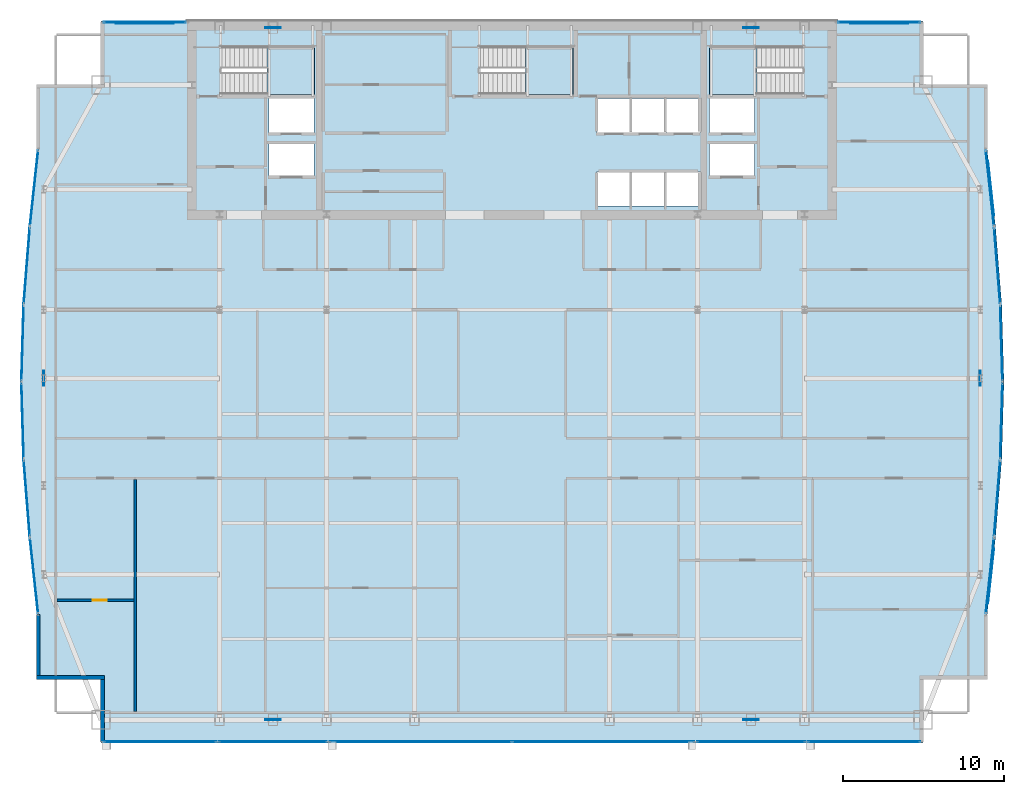
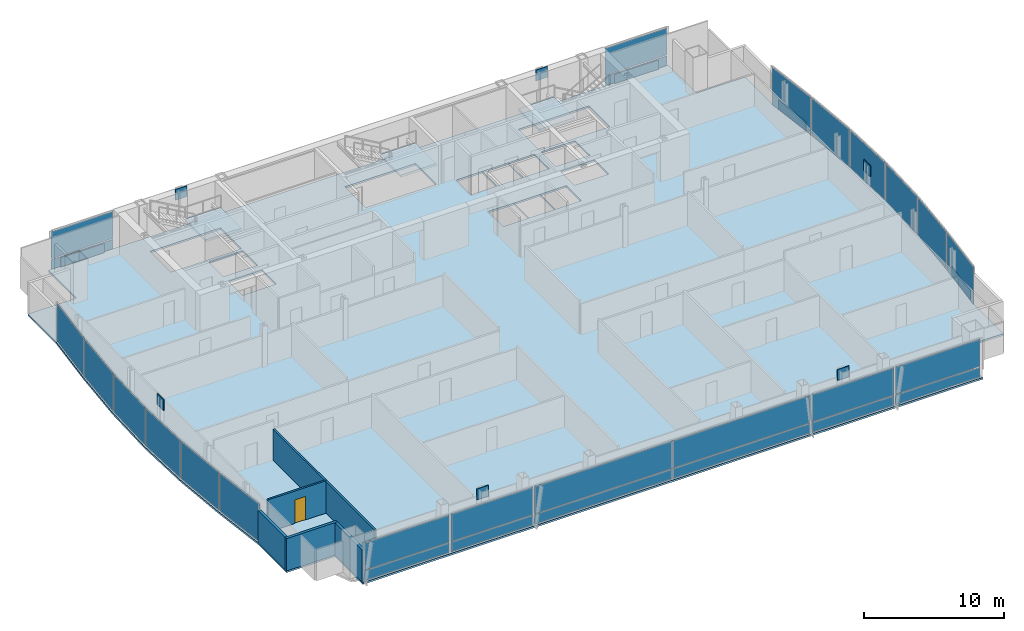
# One storey, part 26 of 32: 38 plates, 5 walls, 4 slabs, 1 door, 1 opening, 22 elements without a shape of their own.
"""IFC4 building model written with IfcOpenShell, lengths in metres."""

from ifc_helpers import new_model, si_unit, direction, frame, frame_2d, origin, origin_2d, place, context, subcontext, project, spatial, polyline, rectangle, outline, extrude, material, layer, layer_set, type_object, element, fill, aggregate, save


model = new_model("IFC4")

# Units and contexts
model_context = context("Model", 3, precision=1e-05, world=origin(), true_north=direction((0.0, 1.0)))
body_context = subcontext(model_context, "Body", "Model", "MODEL_VIEW")
ifc_project = project(units=[si_unit("LENGTHUNIT", "METRE"), si_unit("AREAUNIT", "SQUARE_METRE"), si_unit("VOLUMEUNIT", "CUBIC_METRE"), si_unit("PLANEANGLEUNIT", "RADIAN"), si_unit("MASSUNIT", "GRAM", prefix="KILO")], contexts=[model_context])

# Site, building, storey
site_placement = place(None, origin())
site = spatial("IfcSite", under=ifc_project, at=site_placement, CompositionType="ELEMENT")
building_placement = place(site_placement, origin())
building = spatial("IfcBuilding", under=site, at=building_placement, Name="Khoronbel Lancet Exchange", CompositionType="ELEMENT")
storey_placement = place(building_placement, frame((0.0, 0.0, 195.800048828125)))
storey = spatial("IfcBuildingStorey", under=building, at=storey_placement, Name="L49", CompositionType="ELEMENT", Elevation=195.800048828125)

# Curtain wall, plate
ifc_material_1 = material(Name="Low-E Solar Control Insulating Glass", Category="glass")
curtain_wall_type_1 = type_object("IfcCurtainWallType", Name="CW-4", PredefinedType="NOTDEFINED", material=ifc_material_1)
curtain_wall_1_placement = place(storey_placement, origin())
curtain_wall_1 = element("IfcCurtainWall", 1, at=curtain_wall_1_placement, inside=storey, type_object=curtain_wall_type_1, Name="Unitised curtain wall CW-L49-E05", PredefinedType="NOTDEFINED")
ifc_material_2 = material(Name="Bronze-Anodised Aluminium 6063-T6", Category="aluminium")
ifc_layer_1 = layer(ifc_material_2, 0.050048828125, Name="Bronze-Anodised Aluminium 6063-T6")
ifc_layer_set_1 = layer_set([ifc_layer_1], Name="Bronze-Anodised Aluminium 6063-T6")
plate_type_1 = type_object("IfcPlateType", Name="PLT-CSP1", PredefinedType="SHEET", material=ifc_layer_set_1)
plate_1_placement = place(storey_placement, frame((6.22265625, 23.95654296875, 0.0849609375), z_axis=(0.0, 0.0, 1.0), x_axis=(-0.079254661653, 0.996854401909, 0.0)))
plate_1 = element("IfcPlate", 2, at=plate_1_placement, type_object=plate_type_1, Name="CW4 panel 1.1", PredefinedType="CURTAIN_PANEL", context=body_context, shape_type="SweptSolid", body=[
    extrude(rectangle(XDim=4.695068359375, YDim=0.0380859375, at=origin_2d()), origin(), (0.0, 0.0, 1.0), 3.27001953125),
])
aggregate(curtain_wall_1, [plate_1])

curtain_wall_2_placement = place(storey_placement, origin())
curtain_wall_2 = element("IfcCurtainWall", 3, at=curtain_wall_2_placement, inside=storey, type_object=curtain_wall_type_1, Name="Unitised curtain wall CW-L49-E06", PredefinedType="NOTDEFINED")
plate_2_placement = place(storey_placement, frame((5.960205078125, 28.785888671875, 0.0849609375), z_axis=(0.0, 0.0, 1.0), x_axis=(-0.029107039142, 0.999576300376, 0.0)))
plate_2 = element("IfcPlate", 4, at=plate_2_placement, type_object=plate_type_1, Name="CW4 panel 1.1", PredefinedType="CURTAIN_PANEL", context=body_context, shape_type="SweptSolid", body=[
    extrude(rectangle(XDim=4.680419921875, YDim=0.0380859375, at=origin_2d()), origin(), (0.0, 0.0, 1.0), 3.27001953125),
])
aggregate(curtain_wall_2, [plate_2])

curtain_wall_3_placement = place(storey_placement, origin())
curtain_wall_3 = element("IfcCurtainWall", 5, at=curtain_wall_3_placement, inside=storey, type_object=curtain_wall_type_1, Name="Unitised curtain wall CW-L49-E07", PredefinedType="NOTDEFINED")
plate_3_placement = place(storey_placement, frame((5.960205078125, 33.6142578125, 0.0849609375), z_axis=(0.0, 0.0, 1.0), x_axis=(0.029107039142, 0.999576300376, 0.0)))
plate_3 = element("IfcPlate", 6, at=plate_3_placement, type_object=plate_type_1, Name="CW4 panel 1.1", PredefinedType="CURTAIN_PANEL", context=body_context, shape_type="SweptSolid", body=[
    extrude(rectangle(XDim=4.680419921875, YDim=0.0380859375, at=origin_2d()), origin(), (0.0, 0.0, 1.0), 3.27001953125),
])
aggregate(curtain_wall_3, [plate_3])

curtain_wall_4_placement = place(storey_placement, origin())
curtain_wall_4 = element("IfcCurtainWall", 7, at=curtain_wall_4_placement, inside=storey, type_object=curtain_wall_type_1, Name="Unitised curtain wall CW-L49-E08", PredefinedType="NOTDEFINED")
plate_4_placement = place(storey_placement, frame((6.22265625, 38.443359375, 0.0849609375), z_axis=(0.0, 0.0, 1.0), x_axis=(0.079254661653, 0.996854401909, 0.0)))
plate_4 = element("IfcPlate", 8, at=plate_4_placement, type_object=plate_type_1, Name="CW4 panel 1.1", PredefinedType="CURTAIN_PANEL", context=body_context, shape_type="SweptSolid", body=[
    extrude(rectangle(XDim=4.695068359375, YDim=0.0380859375, at=origin_2d()), origin(), (0.0, 0.0, 1.0), 3.27001953125),
])
aggregate(curtain_wall_4, [plate_4])

curtain_wall_type_2 = type_object("IfcCurtainWallType", Name="CW-3", PredefinedType="NOTDEFINED", material=ifc_material_1)
curtain_wall_5_placement = place(storey_placement, origin())
curtain_wall_5 = element("IfcCurtainWall", 9, at=curtain_wall_5_placement, inside=storey, type_object=curtain_wall_type_2, Name="Unitised curtain wall CW-L49-NWFLK", PredefinedType="NOTDEFINED")
plate_5_placement = place(storey_placement, frame((13.580078125, 53.550048828125, 0.0498046875), z_axis=(0.0, 0.0, 1.0), x_axis=(-1.0, 0.0, 0.0)))
plate_5 = element("IfcPlate", 10, at=plate_5_placement, type_object=plate_type_1, Name="Insulated bronze spandrel cassette CW-L49-NWFLK", PredefinedType="SHEET", context=body_context, shape_type="SweptSolid", body=[
    extrude(rectangle(XDim=3.60009765625, YDim=0.050048828125, at=origin_2d()), origin(), (0.0, 0.0, 1.0), 0.800048828125),
])

curtain_wall_6_placement = place(storey_placement, origin())
curtain_wall_6 = element("IfcCurtainWall", 11, at=curtain_wall_6_placement, inside=storey, type_object=curtain_wall_type_2, Name="Unitised curtain wall CW-L49-NEFLK", PredefinedType="NOTDEFINED")
plate_6_placement = place(storey_placement, frame((59.320068359375, 53.550048828125, 0.0498046875), z_axis=(0.0, 0.0, 1.0), x_axis=(-1.0, 0.0, 0.0)))
plate_6 = element("IfcPlate", 12, at=plate_6_placement, type_object=plate_type_1, Name="Insulated bronze spandrel cassette CW-L49-NEFLK", PredefinedType="SHEET", context=body_context, shape_type="SweptSolid", body=[
    extrude(rectangle(XDim=3.60009765625, YDim=0.050048828125, at=origin_2d()), origin(), (0.0, 0.0, 1.0), 0.800048828125),
])

curtain_wall_7_placement = place(storey_placement, origin())
curtain_wall_7 = element("IfcCurtainWall", 13, at=curtain_wall_7_placement, inside=storey, type_object=curtain_wall_type_1, Name="Unitised curtain wall CW-L49-E17", PredefinedType="NOTDEFINED")
plate_7_placement = place(storey_placement, frame((66.2822265625, 43.283203125, 0.0498046875), z_axis=(0.0, 0.0, 1.0), x_axis=(0.107990289834, -0.994151948799, 0.0)))
plate_7 = element("IfcPlate", 14, at=plate_7_placement, type_object=plate_type_1, Name="Insulated bronze spandrel cassette CW-L49-E17", PredefinedType="SHEET", context=body_context, shape_type="SweptSolid", body=[
    extrude(rectangle(XDim=3.40576171875, YDim=0.050048828125, at=origin_2d()), origin(), (0.0, 0.0, 1.0), 0.800048828125),
])

curtain_wall_8_placement = place(storey_placement, origin())
curtain_wall_8 = element("IfcCurtainWall", 15, at=curtain_wall_8_placement, inside=storey, type_object=curtain_wall_type_1, Name="Unitised curtain wall CW-L49-E18", PredefinedType="NOTDEFINED")
plate_8_placement = place(storey_placement, frame((66.677490234375, 38.443359375, 0.0849609375), z_axis=(0.0, 0.0, 1.0), x_axis=(0.079254661653, -0.996854401909, 0.0)))
plate_8 = element("IfcPlate", 16, at=plate_8_placement, type_object=plate_type_1, Name="CW4 panel 1.1", PredefinedType="CURTAIN_PANEL", context=body_context, shape_type="SweptSolid", body=[
    extrude(rectangle(XDim=4.695068359375, YDim=0.0380859375, at=origin_2d()), origin(), (0.0, 0.0, 1.0), 3.27001953125),
])
aggregate(curtain_wall_8, [plate_8])

curtain_wall_9_placement = place(storey_placement, origin())
curtain_wall_9 = element("IfcCurtainWall", 17, at=curtain_wall_9_placement, inside=storey, type_object=curtain_wall_type_1, Name="Unitised curtain wall CW-L49-E19", PredefinedType="NOTDEFINED")
plate_9_placement = place(storey_placement, frame((66.939697265625, 33.6142578125, 0.0849609375), z_axis=(0.0, 0.0, 1.0), x_axis=(0.029107039142, -0.999576300376, 0.0)))
plate_9 = element("IfcPlate", 18, at=plate_9_placement, type_object=plate_type_1, Name="CW4 panel 1.1", PredefinedType="CURTAIN_PANEL", context=body_context, shape_type="SweptSolid", body=[
    extrude(rectangle(XDim=4.680419921875, YDim=0.0380859375, at=origin_2d()), origin(), (0.0, 0.0, 1.0), 3.27001953125),
])
aggregate(curtain_wall_9, [plate_9])

curtain_wall_10_placement = place(storey_placement, origin())
curtain_wall_10 = element("IfcCurtainWall", 19, at=curtain_wall_10_placement, inside=storey, type_object=curtain_wall_type_1, Name="Unitised curtain wall CW-L49-E20", PredefinedType="NOTDEFINED")
plate_10_placement = place(storey_placement, frame((66.939697265625, 28.785888671875, 0.0849609375), z_axis=(0.0, 0.0, 1.0), x_axis=(-0.029107039142, -0.999576300376, 0.0)))
plate_10 = element("IfcPlate", 20, at=plate_10_placement, type_object=plate_type_1, Name="CW4 panel 1.1", PredefinedType="CURTAIN_PANEL", context=body_context, shape_type="SweptSolid", body=[
    extrude(rectangle(XDim=4.680419921875, YDim=0.0380859375, at=origin_2d()), origin(), (0.0, 0.0, 1.0), 3.27001953125),
])
aggregate(curtain_wall_10, [plate_10])

curtain_wall_11_placement = place(storey_placement, origin())
curtain_wall_11 = element("IfcCurtainWall", 21, at=curtain_wall_11_placement, inside=storey, type_object=curtain_wall_type_1, Name="Unitised curtain wall CW-L49-E21", PredefinedType="NOTDEFINED")
plate_11_placement = place(storey_placement, frame((66.677490234375, 23.95654296875, 0.0849609375), z_axis=(0.0, 0.0, 1.0), x_axis=(-0.079254661653, -0.996854401909, 0.0)))
plate_11 = element("IfcPlate", 22, at=plate_11_placement, type_object=plate_type_1, Name="CW4 panel 1.1", PredefinedType="CURTAIN_PANEL", context=body_context, shape_type="SweptSolid", body=[
    extrude(rectangle(XDim=4.695068359375, YDim=0.0380859375, at=origin_2d()), origin(), (0.0, 0.0, 1.0), 3.27001953125),
])
aggregate(curtain_wall_11, [plate_11])

curtain_wall_12_placement = place(storey_placement, origin())
curtain_wall_12 = element("IfcCurtainWall", 23, at=curtain_wall_12_placement, inside=storey, type_object=curtain_wall_type_1, Name="Unitised curtain wall CW-L49-E22", PredefinedType="NOTDEFINED")
plate_12_placement = place(storey_placement, frame((66.2822265625, 19.11669921875, 0.0498046875), z_axis=(0.0, 0.0, 1.0), x_axis=(-0.107990289834, -0.994151948799, 0.0)))
plate_12 = element("IfcPlate", 24, at=plate_12_placement, type_object=plate_type_1, Name="Insulated bronze spandrel cassette CW-L49-E22", PredefinedType="SHEET", context=body_context, shape_type="SweptSolid", body=[
    extrude(rectangle(XDim=3.40576171875, YDim=0.050048828125, at=origin_2d()), origin(), (0.0, 0.0, 1.0), 0.800048828125),
])

# Curtain wall, plates
curtain_wall_13_placement = place(storey_placement, origin())
curtain_wall_13 = element("IfcCurtainWall", 25, at=curtain_wall_13_placement, inside=storey, type_object=curtain_wall_type_2, Name="Unitised curtain wall CW-L49-SWB", PredefinedType="NOTDEFINED")
plate_13_placement = place(storey_placement, frame((21.550048828125, 8.7900390625, 0.0849609375), z_axis=(0.0, 0.0, 1.0), x_axis=(1.0, 0.0, 0.0)))
plate_13 = element("IfcPlate", 26, at=plate_13_placement, type_object=plate_type_1, Name="CW3 panel 1.1", PredefinedType="CURTAIN_PANEL", context=body_context, shape_type="SweptSolid", body=[
    extrude(rectangle(XDim=6.72998046875, YDim=0.0380859375, at=origin_2d()), origin(), (0.0, 0.0, 1.0), 0.822509765625),
])
plate_14_placement = place(storey_placement, frame((21.550048828125, 8.7900390625, 0.9921875), z_axis=(0.0, 0.0, 1.0), x_axis=(1.0, 0.0, 0.0)))
plate_14 = element("IfcPlate", 27, at=plate_14_placement, type_object=plate_type_1, Name="CW3 panel 1.2", PredefinedType="CURTAIN_PANEL", context=body_context, shape_type="SweptSolid", body=[
    extrude(rectangle(XDim=6.72998046875, YDim=0.0380859375, at=origin_2d()), origin(), (0.0, 0.0, 1.0), 2.362548828125),
])
aggregate(curtain_wall_13, [plate_13, plate_14])

curtain_wall_14_placement = place(storey_placement, origin())
curtain_wall_14 = element("IfcCurtainWall", 28, at=curtain_wall_14_placement, inside=storey, type_object=curtain_wall_type_2, Name="Unitised curtain wall CW-L49-SEB", PredefinedType="NOTDEFINED")
plate_15_placement = place(storey_placement, frame((51.35009765625, 8.7900390625, 0.0849609375), z_axis=(0.0, 0.0, 1.0), x_axis=(1.0, 0.0, 0.0)))
plate_15 = element("IfcPlate", 29, at=plate_15_placement, type_object=plate_type_1, Name="CW3 panel 1.1", PredefinedType="CURTAIN_PANEL", context=body_context, shape_type="SweptSolid", body=[
    extrude(rectangle(XDim=6.72998046875, YDim=0.0380859375, at=origin_2d()), origin(), (0.0, 0.0, 1.0), 0.822509765625),
])
plate_16_placement = place(storey_placement, frame((51.35009765625, 8.7900390625, 0.9921875), z_axis=(0.0, 0.0, 1.0), x_axis=(1.0, 0.0, 0.0)))
plate_16 = element("IfcPlate", 30, at=plate_16_placement, type_object=plate_type_1, Name="CW3 panel 1.2", PredefinedType="CURTAIN_PANEL", context=body_context, shape_type="SweptSolid", body=[
    extrude(rectangle(XDim=6.72998046875, YDim=0.0380859375, at=origin_2d()), origin(), (0.0, 0.0, 1.0), 2.362548828125),
])
aggregate(curtain_wall_14, [plate_15, plate_16])

# Plate
ifc_layer_2 = layer(ifc_material_1, 0.035888671875, Name="Low-E Solar Control Insulating Glass")
ifc_layer_set_2 = layer_set([ifc_layer_2], Name="Low-E Solar Control Insulating Glass")
plate_type_2 = type_object("IfcPlateType", Name="PLT-CWP1", PredefinedType="CURTAIN_PANEL", material=ifc_layer_set_2)
plate_17_placement = place(storey_placement, frame((13.580078125, 53.610107421875, 0.0849609375), z_axis=(0.0, 0.0, 1.0), x_axis=(-1.0, 0.0, 0.0)))
plate_17 = element("IfcPlate", 31, at=plate_17_placement, type_object=plate_type_2, Name="CW3 panel 1.1", PredefinedType="CURTAIN_PANEL", context=body_context, shape_type="SweptSolid", body=[
    extrude(rectangle(XDim=5.110107421875, YDim=0.0380859375, at=origin_2d()), origin(), (0.0, 0.0, 1.0), 0.822509765625),
])

plate_18_placement = place(storey_placement, frame((13.580078125, 53.610107421875, 0.9921875), z_axis=(0.0, 0.0, 1.0), x_axis=(-1.0, 0.0, 0.0)))
plate_18 = element("IfcPlate", 32, at=plate_18_placement, type_object=plate_type_2, Name="CW3 panel 1.2", PredefinedType="CURTAIN_PANEL", context=body_context, shape_type="SweptSolid", body=[
    extrude(rectangle(XDim=5.110107421875, YDim=0.0380859375, at=origin_2d()), origin(), (0.0, 0.0, 1.0), 2.362548828125),
])

aggregate(curtain_wall_5, [plate_17, plate_18, plate_5])

plate_19_placement = place(storey_placement, frame((59.320068359375, 53.610107421875, 0.0849609375), z_axis=(0.0, 0.0, 1.0), x_axis=(-1.0, 0.0, 0.0)))
plate_19 = element("IfcPlate", 33, at=plate_19_placement, type_object=plate_type_2, Name="CW3 panel 1.1", PredefinedType="CURTAIN_PANEL", context=body_context, shape_type="SweptSolid", body=[
    extrude(rectangle(XDim=5.110107421875, YDim=0.0380859375, at=origin_2d()), origin(), (0.0, 0.0, 1.0), 0.822509765625),
])

plate_20_placement = place(storey_placement, frame((59.320068359375, 53.610107421875, 0.9921875), z_axis=(0.0, 0.0, 1.0), x_axis=(-1.0, 0.0, 0.0)))
plate_20 = element("IfcPlate", 34, at=plate_20_placement, type_object=plate_type_2, Name="CW3 panel 1.2", PredefinedType="CURTAIN_PANEL", context=body_context, shape_type="SweptSolid", body=[
    extrude(rectangle(XDim=5.110107421875, YDim=0.0380859375, at=origin_2d()), origin(), (0.0, 0.0, 1.0), 2.362548828125),
])

aggregate(curtain_wall_6, [plate_19, plate_20, plate_6])

# Curtain wall, plates
curtain_wall_15_placement = place(storey_placement, origin())
curtain_wall_15 = element("IfcCurtainWall", 35, at=curtain_wall_15_placement, inside=storey, type_object=curtain_wall_type_2, Name="Unitised curtain wall CW-L49-SWV", PredefinedType="NOTDEFINED")
plate_21_placement = place(storey_placement, frame((14.52001953125, 8.7900390625, 0.0849609375), z_axis=(0.0, 0.0, 1.0), x_axis=(1.0, 0.0, 0.0)))
plate_21 = element("IfcPlate", 36, at=plate_21_placement, type_object=plate_type_2, Name="CW3 panel 1.1", PredefinedType="CURTAIN_PANEL", context=body_context, shape_type="SweptSolid", body=[
    extrude(rectangle(XDim=6.989990234375, YDim=0.0380859375, at=origin_2d()), origin(), (0.0, 0.0, 1.0), 0.822509765625),
])
plate_22_placement = place(storey_placement, frame((14.52001953125, 8.7900390625, 0.9921875), z_axis=(0.0, 0.0, 1.0), x_axis=(1.0, 0.0, 0.0)))
plate_22 = element("IfcPlate", 37, at=plate_22_placement, type_object=plate_type_2, Name="CW3 panel 1.2", PredefinedType="CURTAIN_PANEL", context=body_context, shape_type="SweptSolid", body=[
    extrude(rectangle(XDim=6.989990234375, YDim=0.0380859375, at=origin_2d()), origin(), (0.0, 0.0, 1.0), 2.362548828125),
])
aggregate(curtain_wall_15, [plate_21, plate_22])

curtain_wall_16_placement = place(storey_placement, origin())
curtain_wall_16 = element("IfcCurtainWall", 38, at=curtain_wall_16_placement, inside=storey, type_object=curtain_wall_type_2, Name="Unitised curtain wall CW-L49-SCV", PredefinedType="NOTDEFINED")
plate_23_placement = place(storey_placement, frame((30.746337890625, 8.7900390625, 0.0849609375), z_axis=(0.0, 0.0, 1.0), x_axis=(1.0, 0.0, 0.0)))
plate_23 = element("IfcPlate", 39, at=plate_23_placement, type_object=plate_type_2, Name="CW3 panel 1.1", PredefinedType="CURTAIN_PANEL", context=body_context, shape_type="SweptSolid", body=[
    extrude(rectangle(XDim=11.322509765625, YDim=0.0380859375, at=origin_2d()), origin(), (0.0, 0.0, 1.0), 0.822509765625),
])
plate_24_placement = place(storey_placement, frame((30.746337890625, 8.7900390625, 0.9921875), z_axis=(0.0, 0.0, 1.0), x_axis=(1.0, 0.0, 0.0)))
plate_24 = element("IfcPlate", 40, at=plate_24_placement, type_object=plate_type_2, Name="CW3 panel 1.2", PredefinedType="CURTAIN_PANEL", context=body_context, shape_type="SweptSolid", body=[
    extrude(rectangle(XDim=11.322509765625, YDim=0.0380859375, at=origin_2d()), origin(), (0.0, 0.0, 1.0), 2.362548828125),
])
plate_25_placement = place(storey_placement, frame((42.15380859375, 8.7900390625, 0.0849609375), z_axis=(0.0, 0.0, 1.0), x_axis=(1.0, 0.0, 0.0)))
plate_25 = element("IfcPlate", 41, at=plate_25_placement, type_object=plate_type_2, Name="CW3 panel 2.1", PredefinedType="CURTAIN_PANEL", context=body_context, shape_type="SweptSolid", body=[
    extrude(rectangle(XDim=11.322509765625, YDim=0.0380859375, at=origin_2d()), origin(), (0.0, 0.0, 1.0), 0.822509765625),
])
plate_26_placement = place(storey_placement, frame((42.15380859375, 8.7900390625, 0.9921875), z_axis=(0.0, 0.0, 1.0), x_axis=(1.0, 0.0, 0.0)))
plate_26 = element("IfcPlate", 42, at=plate_26_placement, type_object=plate_type_2, Name="CW3 panel 2.2", PredefinedType="CURTAIN_PANEL", context=body_context, shape_type="SweptSolid", body=[
    extrude(rectangle(XDim=11.322509765625, YDim=0.0380859375, at=origin_2d()), origin(), (0.0, 0.0, 1.0), 2.362548828125),
])
aggregate(curtain_wall_16, [plate_23, plate_24, plate_25, plate_26])

curtain_wall_17_placement = place(storey_placement, origin())
curtain_wall_17 = element("IfcCurtainWall", 43, at=curtain_wall_17_placement, inside=storey, type_object=curtain_wall_type_2, Name="Unitised curtain wall CW-L49-SEV", PredefinedType="NOTDEFINED")
plate_27_placement = place(storey_placement, frame((58.3798828125, 8.7900390625, 0.0849609375), z_axis=(0.0, 0.0, 1.0), x_axis=(1.0, 0.0, 0.0)))
plate_27 = element("IfcPlate", 44, at=plate_27_placement, type_object=plate_type_2, Name="CW3 panel 1.1", PredefinedType="CURTAIN_PANEL", context=body_context, shape_type="SweptSolid", body=[
    extrude(rectangle(XDim=6.989990234375, YDim=0.0380859375, at=origin_2d()), origin(), (0.0, 0.0, 1.0), 0.822509765625),
])
plate_28_placement = place(storey_placement, frame((58.3798828125, 8.7900390625, 0.9921875), z_axis=(0.0, 0.0, 1.0), x_axis=(1.0, 0.0, 0.0)))
plate_28 = element("IfcPlate", 45, at=plate_28_placement, type_object=plate_type_2, Name="CW3 panel 1.2", PredefinedType="CURTAIN_PANEL", context=body_context, shape_type="SweptSolid", body=[
    extrude(rectangle(XDim=6.989990234375, YDim=0.0380859375, at=origin_2d()), origin(), (0.0, 0.0, 1.0), 2.362548828125),
])
aggregate(curtain_wall_17, [plate_27, plate_28])

# Curtain wall, plate
curtain_wall_18_placement = place(storey_placement, origin())
curtain_wall_18 = element("IfcCurtainWall", 46, at=curtain_wall_18_placement, inside=storey, type_object=curtain_wall_type_1, Name="Unitised curtain wall CW-L49-E04", PredefinedType="NOTDEFINED")
ifc_material_3 = material(Name="Ceramic-Fritted Laminated Insulating Glass", Category="glass")
ifc_layer_3 = layer(ifc_material_3, 0.0419921875, Name="Ceramic-Fritted Laminated Insulating Glass")
ifc_layer_set_3 = layer_set([ifc_layer_3], Name="Ceramic-Fritted Laminated Insulating Glass")
plate_type_3 = type_object("IfcPlateType", Name="PLT-CWP2", PredefinedType="CURTAIN_PANEL", material=ifc_layer_set_3)
plate_29_placement = place(storey_placement, frame((6.67724609375, 19.123291015625, 0.0849609375), z_axis=(0.0, 0.0, 1.0), x_axis=(-0.107990289834, 0.994151948799, 0.0)))
plate_29 = element("IfcPlate", 47, at=plate_29_placement, type_object=plate_type_3, Name="CW4 panel 1.1", PredefinedType="CURTAIN_PANEL", context=body_context, shape_type="SweptSolid", body=[
    extrude(rectangle(XDim=4.71533203125, YDim=0.0380859375, at=origin_2d()), origin(), (0.0, 0.0, 1.0), 3.27001953125),
])
aggregate(curtain_wall_18, [plate_29])

curtain_wall_19_placement = place(storey_placement, origin())
curtain_wall_19 = element("IfcCurtainWall", 48, at=curtain_wall_19_placement, inside=storey, type_object=curtain_wall_type_1, Name="Unitised curtain wall CW-L49-E09", PredefinedType="NOTDEFINED")
plate_30_placement = place(storey_placement, frame((6.67724609375, 43.276611328125, 0.0849609375), z_axis=(0.0, 0.0, 1.0), x_axis=(0.107990289834, 0.994151948799, 0.0)))
plate_30 = element("IfcPlate", 49, at=plate_30_placement, type_object=plate_type_3, Name="CW4 panel 1.1", PredefinedType="CURTAIN_PANEL", context=body_context, shape_type="SweptSolid", body=[
    extrude(rectangle(XDim=4.71533203125, YDim=0.0380859375, at=origin_2d()), origin(), (0.0, 0.0, 1.0), 3.27001953125),
])
aggregate(curtain_wall_19, [plate_30])

# Plate
plate_31_placement = place(storey_placement, frame((66.22265625, 43.276611328125, 0.0849609375), z_axis=(0.0, 0.0, 1.0), x_axis=(0.107990289834, -0.994151948799, 0.0)))
plate_31 = element("IfcPlate", 50, at=plate_31_placement, type_object=plate_type_3, Name="CW4 panel 1.1", PredefinedType="CURTAIN_PANEL", context=body_context, shape_type="SweptSolid", body=[
    extrude(rectangle(XDim=4.71533203125, YDim=0.0380859375, at=origin_2d()), origin(), (0.0, 0.0, 1.0), 3.27001953125),
])

aggregate(curtain_wall_7, [plate_31, plate_7])

plate_32_placement = place(storey_placement, frame((66.22265625, 19.123291015625, 0.0849609375), z_axis=(0.0, 0.0, 1.0), x_axis=(-0.107990289834, -0.994151948799, 0.0)))
plate_32 = element("IfcPlate", 51, at=plate_32_placement, type_object=plate_type_3, Name="CW4 panel 1.1", PredefinedType="CURTAIN_PANEL", context=body_context, shape_type="SweptSolid", body=[
    extrude(rectangle(XDim=4.71533203125, YDim=0.0380859375, at=origin_2d()), origin(), (0.0, 0.0, 1.0), 3.27001953125),
])

aggregate(curtain_wall_12, [plate_32, plate_12])

# Plates
ifc_material_4 = material(Name="Steel S460", Category="steel")
ifc_layer_4 = layer(ifc_material_4, 0.06005859375, Name="Steel S460")
ifc_layer_set_4 = layer_set([ifc_layer_4], Name="Steel S460")
plate_type_4 = type_object("IfcPlateType", Name="PLT-ND2", PredefinedType="USERDEFINED", material=ifc_layer_set_4)
for number, where, z_axis, x_axis, name in (
    (52, (21.5625, 10.14990234375, 2.77490234375), (0.0, 0.0, 1.0), (1.0, 0.0, 0.0), "ND2 perimeter brace node gusset T16-S-W"),
    (53, (51.33740234375, 10.14990234375, 2.77490234375), (0.0, 0.0, 1.0), (1.0, 0.0, 0.0), "ND2 perimeter brace node gusset T16-S-E"),
    (54, (21.5625, 53.280029296875, 2.77490234375), (0.0, 0.0, 1.0), (1.0, 0.0, 0.0), "ND2 perimeter brace node gusset T16-N-W"),
    (55, (51.33740234375, 53.280029296875, 2.77490234375), (0.0, 0.0, 1.0), (1.0, 0.0, 0.0), "ND2 perimeter brace node gusset T16-N-E"),
    (56, (7.27001953125, 31.425048828125, 2.77490234375), (0.0, 0.0, 1.0), (0.0, 1.0, 0.0), "ND2 perimeter brace node gusset T16-W-P"),
    (57, (65.6298828125, 31.425048828125, 2.77490234375), (0.0, 0.0, 1.0), (0.0, 1.0, 0.0), "ND2 perimeter brace node gusset T16-E-P"),
):
    element("IfcPlate", number, at=place(storey_placement, frame(where, z_axis=z_axis, x_axis=x_axis)), inside=storey, type_object=plate_type_4, Name=name, ObjectType="GUSSET_PLATE", PredefinedType="USERDEFINED", context=body_context, shape_type="SweptSolid", body=[
        extrude(rectangle(XDim=0.949951171875, YDim=0.06005859375, at=origin_2d()), origin(), (0.0, 0.0, 1.0), 0.949951171875),
    ])

# Slab
ifc_material_5 = material(Name="Concrete C40/50", Category="concrete")
ifc_layer_5 = layer(ifc_material_5, 0.159912109375, Name="Concrete C40/50")
ifc_layer_set_5 = layer_set([ifc_layer_5], Name="Concrete C40/50")
slab_type_1 = type_object("IfcSlabType", Name="SL-FL160", PredefinedType="FLOOR", material=ifc_layer_set_5)
slab_1_placement = place(storey_placement, frame((0.0, 0.0, -0.16015625)))
element("IfcSlab", 58, at=slab_1_placement, inside=storey, type_object=slab_type_1, Name="Level L49 composite structural floor slab", PredefinedType="FLOOR", context=body_context, shape_type="SweptSolid", body=[
    extrude(outline(polyline([(10.85009765625, 8.699951171875), (62.050048828125, 8.699951171875), (62.050048828125, 12.699951171875), (66.050048828125, 12.699951171875), (66.050048828125, 16.699951171875), (66.574951171875, 21.533203125), (66.959228515625, 26.36669921875), (67.10009765625, 31.199951171875), (66.959228515625, 36.033203125), (66.574951171875, 40.86669921875), (66.050048828125, 45.699951171875), (66.050048828125, 49.699951171875), (62.050048828125, 49.699951171875), (62.050048828125, 53.699951171875), (10.85009765625, 53.699951171875), (10.85009765625, 49.699951171875), (6.85009765625, 49.699951171875), (6.85009765625, 45.699951171875), (6.324951171875, 40.86669921875), (5.940673828125, 36.033203125), (5.800048828125, 31.199951171875), (5.940673828125, 26.36669921875), (6.324951171875, 21.533203125), (6.85009765625, 16.699951171875), (6.85009765625, 12.699951171875), (10.85009765625, 12.699951171875), (10.85009765625, 8.699951171875)]), holes=[polyline([(18.324951171875, 49.1201171875), (24.14990234375, 49.1201171875), (24.14990234375, 52.10009765625), (18.324951171875, 52.10009765625), (18.324951171875, 49.1201171875)]), polyline([(48.75, 49.1201171875), (54.574951171875, 49.1201171875), (54.574951171875, 52.10009765625), (48.75, 52.10009765625), (48.75, 49.1201171875)]), polyline([(34.425048828125, 49.1201171875), (40.25, 49.1201171875), (40.25, 52.10009765625), (34.425048828125, 52.10009765625), (34.425048828125, 49.1201171875)]), polyline([(41.739990234375, 46.75), (43.8798828125, 46.75), (43.8798828125, 48.85009765625), (41.739990234375, 48.85009765625), (41.739990234375, 46.75)]), polyline([(43.89990234375, 46.75), (46.0400390625, 46.75), (46.0400390625, 48.85009765625), (43.89990234375, 48.85009765625), (43.89990234375, 46.75)]), polyline([(46.06005859375, 46.75), (48.199951171875, 46.75), (48.199951171875, 48.85009765625), (46.06005859375, 48.85009765625), (46.06005859375, 46.75)]), polyline([(41.739990234375, 42.14990234375), (43.8798828125, 42.14990234375), (43.8798828125, 44.300048828125), (41.739990234375, 44.300048828125), (41.739990234375, 42.14990234375)]), polyline([(43.89990234375, 42.14990234375), (46.0400390625, 42.14990234375), (46.0400390625, 44.300048828125), (43.89990234375, 44.300048828125), (43.89990234375, 42.14990234375)]), polyline([(46.06005859375, 42.14990234375), (48.199951171875, 42.14990234375), (48.199951171875, 44.300048828125), (46.06005859375, 44.300048828125), (46.06005859375, 42.14990234375)]), polyline([(21.300048828125, 46.75), (24.10009765625, 46.75), (24.10009765625, 48.85009765625), (21.300048828125, 48.85009765625), (21.300048828125, 46.75)]), polyline([(48.75, 46.75), (51.550048828125, 46.75), (51.550048828125, 48.85009765625), (48.75, 48.85009765625), (48.75, 46.75)]), polyline([(21.300048828125, 44.050048828125), (24.10009765625, 44.050048828125), (24.10009765625, 46.050048828125), (21.300048828125, 46.050048828125), (21.300048828125, 44.050048828125)]), polyline([(48.75, 44.050048828125), (51.550048828125, 44.050048828125), (51.550048828125, 46.050048828125), (48.75, 46.050048828125), (48.75, 44.050048828125)])]), origin(), (0.0, 0.0, 1.0), 0.16015625),
])

# Stair, slab
stair_type = type_object("IfcStairType", Name="STR-CORE150", PredefinedType="HALF_TURN_STAIR", material=ifc_material_5)
stair_1_placement = place(storey_placement, origin())
stair_1 = element("IfcStair", 59, at=stair_1_placement, inside=storey, type_object=stair_type, Name="L49 Protected Exit Stair ST1", PredefinedType="HALF_TURN_STAIR")
ifc_layer_6 = layer(ifc_material_5, 0.199951171875, Name="Concrete C40/50")
ifc_layer_set_6 = layer_set([ifc_layer_6], Name="Concrete C40/50")
slab_type_2 = type_object("IfcSlabType", Name="SL-LND180", PredefinedType="LANDING", material=ifc_layer_set_6)
slab_2_placement = place(storey_placement, frame((0.0, 0.0, 1.599853515625)))
slab_2 = element("IfcSlab", 60, at=slab_2_placement, type_object=slab_type_2, Name="ST1 landing 1", PredefinedType="LANDING", context=body_context, shape_type="SweptSolid", body=[
    extrude(outline(polyline([(21.199951171875, 49.1201171875), (24.14990234375, 49.1201171875), (24.14990234375, 52.10009765625), (21.199951171875, 52.10009765625), (21.199951171875, 49.1201171875)])), origin(), (0.0, 0.0, 1.0), 0.2001953125),
])
aggregate(stair_1, [slab_2])

stair_2_placement = place(storey_placement, origin())
stair_2 = element("IfcStair", 61, at=stair_2_placement, inside=storey, type_object=stair_type, Name="L49 Protected Exit Stair ST2", PredefinedType="HALF_TURN_STAIR")
slab_3_placement = place(storey_placement, frame((0.0, 0.0, 1.599853515625)))
slab_3 = element("IfcSlab", 62, at=slab_3_placement, type_object=slab_type_2, Name="ST2 landing 1", PredefinedType="LANDING", context=body_context, shape_type="SweptSolid", body=[
    extrude(outline(polyline([(51.699951171875, 52.10009765625), (48.75, 52.10009765625), (48.75, 49.1201171875), (51.699951171875, 49.1201171875), (51.699951171875, 52.10009765625)])), origin(), (0.0, 0.0, 1.0), 0.2001953125),
])
aggregate(stair_2, [slab_3])

stair_3_placement = place(storey_placement, origin())
stair_3 = element("IfcStair", 63, at=stair_3_placement, inside=storey, type_object=stair_type, Name="L49 Protected Exit Stair ST3", PredefinedType="HALF_TURN_STAIR")
slab_4_placement = place(storey_placement, frame((0.0, 0.0, 1.599853515625)))
slab_4 = element("IfcSlab", 64, at=slab_4_placement, type_object=slab_type_2, Name="ST3 landing 1", PredefinedType="LANDING", context=body_context, shape_type="SweptSolid", body=[
    extrude(outline(polyline([(37.300048828125, 49.1201171875), (40.25, 49.1201171875), (40.25, 52.10009765625), (37.300048828125, 52.10009765625), (37.300048828125, 49.1201171875)])), origin(), (0.0, 0.0, 1.0), 0.2001953125),
])
aggregate(stair_3, [slab_4])

# Walls
ifc_material_6 = material(Name="Precast concrete C40/50", Category="concrete")
ifc_layer_7 = layer(ifc_material_6, 0.25, Name="Precast concrete C40/50")
ifc_layer_set_7 = layer_set([ifc_layer_7], Name="Precast concrete C40/50")
wall_type_1 = type_object("IfcWallType", Name="WL-EXT250", PredefinedType="SOLIDWALL", material=ifc_layer_set_7)
wall_1_placement = place(storey_placement, frame((10.93994140625, 8.77001953125, 0.0), z_axis=(0.0, 0.0, 1.0), x_axis=(0.0, 1.0, 0.0)))
element("IfcWall", 65, at=wall_1_placement, inside=storey, type_object=wall_type_1, Name="Level L49 notched-corner limestone pier 01", PredefinedType="SOLIDWALL", context=body_context, shape_type="SweptSolid", body=[
    extrude(rectangle(XDim=3.909912109375, YDim=0.219970703125, at=frame_2d((1.955078125, 0.0))), origin(), (0.0, 0.0, 1.0), 2.829833984375),
])
wall_2_placement = place(storey_placement, frame((11.050048828125, 12.7900390625, 0.0), z_axis=(0.0, 0.0, 1.0), x_axis=(-1.0, 0.0, 0.0)))
element("IfcWall", 66, at=wall_2_placement, inside=storey, type_object=wall_type_1, Name="Level L49 notched-corner limestone pier 02", PredefinedType="SOLIDWALL", context=body_context, shape_type="SweptSolid", body=[
    extrude(rectangle(XDim=4.219970703125, YDim=0.219970703125, at=frame_2d((2.10986328125, 0.0))), origin(), (0.0, 0.0, 1.0), 2.829833984375),
])
wall_3_placement = place(storey_placement, frame((6.93994140625, 12.89990234375, 0.0), z_axis=(0.0, 0.0, 1.0), x_axis=(0.0, 1.0, 0.0)))
element("IfcWall", 67, at=wall_3_placement, inside=storey, type_object=wall_type_1, Name="Level L49 notched-corner limestone pier 03", PredefinedType="SOLIDWALL", context=body_context, shape_type="SweptSolid", body=[
    extrude(rectangle(XDim=3.824951171875, YDim=0.219970703125, at=frame_2d((1.91259765625, 0.0))), origin(), (0.0, 0.0, 1.0), 2.829833984375),
])

# Wall, opening, door
ifc_material_7 = material(Name="Acoustic Metal-Stud & Mineral-Wool Gypsum Partition 120 mm", Category="gypsum")
ifc_layer_8 = layer(ifc_material_7, 0.1201171875, Name="Acoustic Metal-Stud & Mineral-Wool Gypsum Partition 120 mm")
ifc_layer_set_8 = layer_set([ifc_layer_8], Name="Acoustic Metal-Stud & Mineral-Wool Gypsum Partition 120 mm")
wall_type_2 = type_object("IfcWallType", Name="WL-PRT120", PredefinedType="PARTITIONING", material=ifc_layer_set_8)
wall_4_placement = place(storey_placement, frame((8.094970703125, 17.602294921875, 0.0), z_axis=(0.0, 0.0, 1.0), x_axis=(1.0, 0.0, 0.0)))
wall_4 = element("IfcWall", 68, at=wall_4_placement, inside=storey, type_object=wall_type_2, Name="Level L49 interior partition PW-Z3SW-H1", PredefinedType="PARTITIONING", context=body_context, shape_type="SweptSolid", body=[
    extrude(rectangle(XDim=4.796875, YDim=0.14990234375, at=frame_2d((2.3984375, 0.0))), origin(), (0.0, 0.0, 1.0), 2.829833984375),
])
opening_placement = place(wall_4_placement, frame((2.223876953125, 0.0, 0.0)))
opening = element("IfcOpeningElement", 69, at=opening_placement, cuts=wall_4, Name="Opening D5", PredefinedType="OPENING", context=body_context, shape_type="SweptSolid", body=[
    extrude(rectangle(XDim=0.89990234375, YDim=2.050048828125, at=frame_2d((0.449951171875, 1.02490234375))), frame((0.0, 0.0849609375, 0.0), z_axis=(0.0, -1.0, 0.0), x_axis=(1.0, 0.0, 0.0)), (0.0, 0.0, 1.0), 0.169921875),
])
ifc_material_8 = material(Name="Acoustic Timber Pantry & Support Door", Category="wood")
door_type = type_object("IfcDoorType", Name="DR-D5", OperationType="NOTDEFINED", PredefinedType="DOOR", material=ifc_material_8)
door_placement = place(opening_placement, origin())
door = element("IfcDoor", 70, at=door_placement, inside=storey, type_object=door_type, Name="Z3SW inner door 1 L49-1", OperationType="SINGLE_SWING_LEFT", OverallHeight=2.050048828125, OverallWidth=0.89990234375, PredefinedType="DOOR", context=body_context, shape_type="SweptSolid", body=[
    extrude(rectangle(XDim=0.89990234375, YDim=2.050048828125, at=frame_2d((0.449951171875, 1.02490234375))), frame((0.0, 0.02490234375, 0.0), z_axis=(0.0, -1.0, 0.0), x_axis=(1.0, 0.0, 0.0)), (0.0, 0.0, 1.0), 0.050048828125),
])
fill(opening, door)

# Wall
ifc_material_9 = material(Name="Fire-Rated Twin-Stud Acoustic Gypsum Partition 150 mm", Category="gypsum")
ifc_layer_9 = layer(ifc_material_9, 0.14990234375, Name="Fire-Rated Twin-Stud Acoustic Gypsum Partition 150 mm")
ifc_layer_set_9 = layer_set([ifc_layer_9], Name="Fire-Rated Twin-Stud Acoustic Gypsum Partition 150 mm")
wall_type_3 = type_object("IfcWallType", Name="WL-PRT150C", PredefinedType="PARTITIONING", material=ifc_layer_set_9)
wall_5_placement = place(storey_placement, frame((12.971923828125, 10.6650390625, 0.0), z_axis=(0.0, 0.0, 1.0), x_axis=(0.0, 1.0, 0.0)))
element("IfcWall", 71, at=wall_5_placement, inside=storey, type_object=wall_type_3, Name="Level L49 interior partition PW-Z3SW-V1", PredefinedType="PARTITIONING", context=body_context, shape_type="SweptSolid", body=[
    extrude(rectangle(XDim=14.449951171875, YDim=0.14990234375, at=frame_2d((7.22509765625, 0.0))), origin(), (0.0, 0.0, 1.0), 2.72998046875),
])

save(model, "model.ifc")
